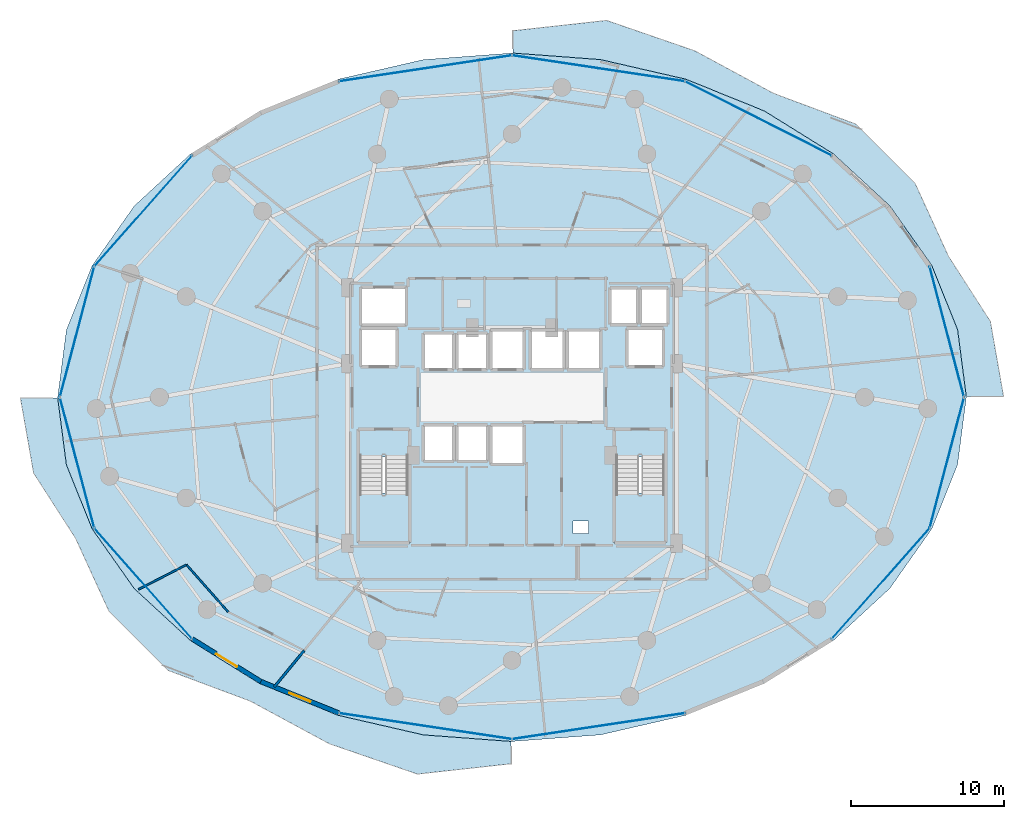
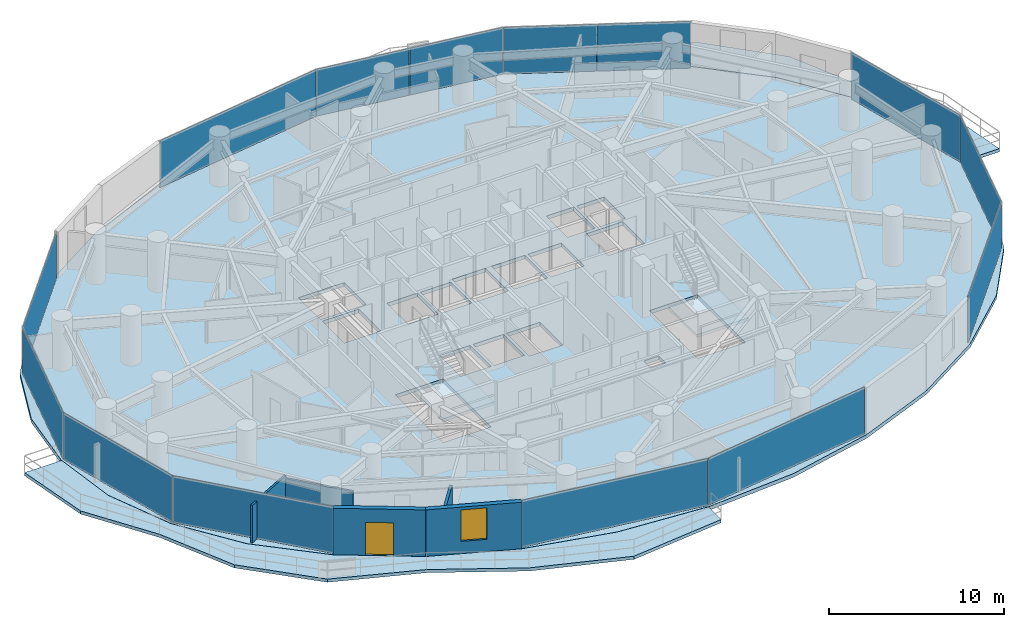
# One storey, part 25 of 33: 14 plates, 5 slabs, 5 walls, 1 door, 1 window, 2 openings, 6 elements without a shape of their own.
"""IFC4 building model written with IfcOpenShell, lengths in metres."""

from ifc_helpers import new_model, si_unit, direction, frame, frame_2d, origin, origin_2d, place, context, subcontext, project, spatial, polyline, rectangle, outline, extrude, material, layer, layer_set, type_object, element, fill, aggregate, save


model = new_model("IFC4")

# Units and contexts
model_context = context("Model", 3, precision=1e-05, world=origin(), true_north=direction((0.0, 1.0)))
body_context = subcontext(model_context, "Body", "Model", "MODEL_VIEW")
ifc_project = project(units=[si_unit("LENGTHUNIT", "METRE"), si_unit("AREAUNIT", "SQUARE_METRE"), si_unit("VOLUMEUNIT", "CUBIC_METRE"), si_unit("PLANEANGLEUNIT", "RADIAN"), si_unit("MASSUNIT", "GRAM", prefix="KILO")], contexts=[model_context])

# Site, building, storey
site_placement = place(None, origin())
site = spatial("IfcSite", under=ifc_project, at=site_placement, CompositionType="ELEMENT")
building_placement = place(site_placement, origin())
building = spatial("IfcBuilding", under=site, at=building_placement, Name="Vorneva Point Tower", CompositionType="ELEMENT")
storey_placement = place(building_placement, frame((0.0, 0.0, 59.0)))
storey = spatial("IfcBuildingStorey", under=building, at=storey_placement, Name="L15", CompositionType="ELEMENT", Elevation=59.0)

# Curtain wall, plates
ifc_material_1 = material(Name="Pale anodised aluminium", Category="aluminium")
curtain_wall_type = type_object("IfcCurtainWallType", Name="CW-HTL-SYS", PredefinedType="NOTDEFINED", material=ifc_material_1)
curtain_wall_1_placement = place(storey_placement, origin())
curtain_wall_1 = element("IfcCurtainWall", 1, at=curtain_wall_1_placement, inside=storey, type_object=curtain_wall_type, Name="L15 Unitised Curtain Wall CW-L15-R01", PredefinedType="NOTDEFINED")
ifc_material_2 = material(Name="Double low-e laminated glass IGU", Category="glass")
ifc_layer_1 = layer(ifc_material_2, 0.035888671875)
ifc_layer_set_1 = layer_set([ifc_layer_1], Name="Double low-e laminated glass IGU")
plate_type = type_object("IfcPlateType", Name="CW-PNL-VIS", PredefinedType="CURTAIN_PANEL", material=ifc_layer_set_1)
plate_1_placement = place(storey_placement, frame((62.097900390625, 13.821533203125, -0.02001953125), z_axis=(0.0, 0.0, 1.0), x_axis=(0.662070857019, 0.749441245386, 0.0)))
plate_1 = element("IfcPlate", 2, at=plate_1_placement, type_object=plate_type, Name="CW-L15-R01 Glazed Panel 01", PredefinedType="CURTAIN_PANEL", context=body_context, shape_type="SweptSolid", body=[
    extrude(rectangle(XDim=9.625, YDim=0.035888671875, at=origin_2d()), origin(), (0.0, 0.0, 1.0), 3.280029296875),
])
plate_2_placement = place(storey_placement, frame((66.42529296875, 21.723388671875, -0.02001953125), z_axis=(0.0, 0.0, 1.0), x_axis=(0.254348767449, 0.967112560407, 0.0)))
plate_2 = element("IfcPlate", 3, at=plate_2_placement, type_object=plate_type, Name="CW-L15-R01 Glazed Panel 02", PredefinedType="CURTAIN_PANEL", context=body_context, shape_type="SweptSolid", body=[
    extrude(rectangle(XDim=8.793701171875, YDim=0.035888671875, at=origin_2d()), origin(), (0.0, 0.0, 1.0), 3.280029296875),
])
plate_3_placement = place(storey_placement, frame((66.42529296875, 30.276611328125, -0.02001953125), z_axis=(0.0, 0.0, 1.0), x_axis=(-0.254348767449, 0.967112560407, 0.0)))
plate_3 = element("IfcPlate", 4, at=plate_3_placement, type_object=plate_type, Name="CW-L15-R01 Glazed Panel 03", PredefinedType="CURTAIN_PANEL", context=body_context, shape_type="SweptSolid", body=[
    extrude(rectangle(XDim=8.793701171875, YDim=0.035888671875, at=origin_2d()), origin(), (0.0, 0.0, 1.0), 3.280029296875),
])
aggregate(curtain_wall_1, [plate_1, plate_2, plate_3])

curtain_wall_2_placement = place(storey_placement, origin())
curtain_wall_2 = element("IfcCurtainWall", 5, at=curtain_wall_2_placement, inside=storey, type_object=curtain_wall_type, Name="L15 Unitised Curtain Wall CW-L15-R02", PredefinedType="NOTDEFINED")
plate_4_placement = place(storey_placement, frame((56.498291015625, 43.014892578125, -0.02001953125), z_axis=(0.0, 0.0, 1.0), x_axis=(-0.892499239729, 0.451048896554, 0.0)))
plate_4 = element("IfcPlate", 6, at=plate_4_placement, type_object=plate_type, Name="CW-L15-R02 Glazed Panel 01A", PredefinedType="CURTAIN_PANEL", context=body_context, shape_type="SweptSolid", body=[
    extrude(rectangle(XDim=5.32080078125, YDim=0.035888671875, at=origin_2d()), origin(), (0.0, 0.0, 1.0), 3.280029296875),
])
plate_5_placement = place(storey_placement, frame((51.705078125, 45.4375, -0.02001953125), z_axis=(0.0, 0.0, 1.0), x_axis=(-0.892499239729, 0.451048896554, 0.0)))
plate_5 = element("IfcPlate", 7, at=plate_5_placement, type_object=plate_type, Name="CW-L15-R02 Glazed Panel 01B", PredefinedType="CURTAIN_PANEL", context=body_context, shape_type="SweptSolid", body=[
    extrude(rectangle(XDim=5.32080078125, YDim=0.035888671875, at=origin_2d()), origin(), (0.0, 0.0, 1.0), 3.280029296875),
])
plate_6_placement = place(storey_placement, frame((46.481201171875, 47.073974609375, -0.02001953125), z_axis=(0.0, 0.0, 1.0), x_axis=(-0.988870924381, 0.148775989034, 0.0)))
plate_6 = element("IfcPlate", 8, at=plate_6_placement, type_object=plate_type, Name="CW-L15-R02 Glazed Panel 02A", PredefinedType="CURTAIN_PANEL", context=body_context, shape_type="SweptSolid", body=[
    extrude(rectangle(XDim=5.667724609375, YDim=0.035888671875, at=origin_2d()), origin(), (0.0, 0.0, 1.0), 3.280029296875),
])
plate_7_placement = place(storey_placement, frame((40.8271484375, 47.9248046875, -0.02001953125), z_axis=(0.0, 0.0, 1.0), x_axis=(-0.988870924381, 0.148775989034, 0.0)))
plate_7 = element("IfcPlate", 9, at=plate_7_placement, type_object=plate_type, Name="CW-L15-R02 Glazed Panel 02B", PredefinedType="CURTAIN_PANEL", context=body_context, shape_type="SweptSolid", body=[
    extrude(rectangle(XDim=5.667724609375, YDim=0.035888671875, at=origin_2d()), origin(), (0.0, 0.0, 1.0), 3.280029296875),
])
plate_8_placement = place(storey_placement, frame((32.345703125, 47.499267578125, -0.02001953125), z_axis=(0.0, 0.0, 1.0), x_axis=(-0.988870924381, -0.148775989034, 0.0)))
plate_8 = element("IfcPlate", 10, at=plate_8_placement, type_object=plate_type, Name="CW-L15-R02 Glazed Panel 03", PredefinedType="CURTAIN_PANEL", context=body_context, shape_type="SweptSolid", body=[
    extrude(rectangle(XDim=11.385498046875, YDim=0.035888671875, at=origin_2d()), origin(), (0.0, 0.0, 1.0), 3.280029296875),
])
aggregate(curtain_wall_2, [plate_4, plate_5, plate_6, plate_7, plate_8])

curtain_wall_3_placement = place(storey_placement, origin())
curtain_wall_3 = element("IfcCurtainWall", 11, at=curtain_wall_3_placement, inside=storey, type_object=curtain_wall_type, Name="L15 Unitised Curtain Wall CW-L15-R03", PredefinedType="NOTDEFINED")
plate_9_placement = place(storey_placement, frame((13.902099609375, 38.178466796875, -0.02001953125), z_axis=(0.0, 0.0, 1.0), x_axis=(-0.662070857019, -0.749441245386, 0.0)))
plate_9 = element("IfcPlate", 12, at=plate_9_placement, type_object=plate_type, Name="CW-L15-R03 Glazed Panel 01", PredefinedType="CURTAIN_PANEL", context=body_context, shape_type="SweptSolid", body=[
    extrude(rectangle(XDim=9.625, YDim=0.035888671875, at=origin_2d()), origin(), (0.0, 0.0, 1.0), 3.280029296875),
])
plate_10_placement = place(storey_placement, frame((9.57470703125, 30.276611328125, -0.02001953125), z_axis=(0.0, 0.0, 1.0), x_axis=(-0.254348767449, -0.967112560407, 0.0)))
plate_10 = element("IfcPlate", 13, at=plate_10_placement, type_object=plate_type, Name="CW-L15-R03 Glazed Panel 02", PredefinedType="CURTAIN_PANEL", context=body_context, shape_type="SweptSolid", body=[
    extrude(rectangle(XDim=8.793701171875, YDim=0.035888671875, at=origin_2d()), origin(), (0.0, 0.0, 1.0), 3.280029296875),
])
plate_11_placement = place(storey_placement, frame((9.57470703125, 21.723388671875, -0.02001953125), z_axis=(0.0, 0.0, 1.0), x_axis=(0.254348767449, -0.967112560407, 0.0)))
plate_11 = element("IfcPlate", 14, at=plate_11_placement, type_object=plate_type, Name="CW-L15-R03 Glazed Panel 03", PredefinedType="CURTAIN_PANEL", context=body_context, shape_type="SweptSolid", body=[
    extrude(rectangle(XDim=8.793701171875, YDim=0.035888671875, at=origin_2d()), origin(), (0.0, 0.0, 1.0), 3.280029296875),
])
plate_12_placement = place(storey_placement, frame((13.902099609375, 13.821533203125, -0.02001953125), z_axis=(0.0, 0.0, 1.0), x_axis=(0.662070857019, -0.749441245386, 0.0)))
plate_12 = element("IfcPlate", 15, at=plate_12_placement, type_object=plate_type, Name="CW-L15-R03 Glazed Panel 04", PredefinedType="CURTAIN_PANEL", context=body_context, shape_type="SweptSolid", body=[
    extrude(rectangle(XDim=9.625, YDim=0.035888671875, at=origin_2d()), origin(), (0.0, 0.0, 1.0), 3.280029296875),
])
aggregate(curtain_wall_3, [plate_9, plate_10, plate_11, plate_12])

curtain_wall_4_placement = place(storey_placement, origin())
curtain_wall_4 = element("IfcCurtainWall", 16, at=curtain_wall_4_placement, inside=storey, type_object=curtain_wall_type, Name="L15 Unitised Curtain Wall CW-L15-R04", PredefinedType="NOTDEFINED")
plate_13_placement = place(storey_placement, frame((32.345703125, 4.500732421875, -0.02001953125), z_axis=(0.0, 0.0, 1.0), x_axis=(0.988870924381, -0.148775989034, 0.0)))
plate_13 = element("IfcPlate", 17, at=plate_13_placement, type_object=plate_type, Name="CW-L15-R04 Glazed Panel 01", PredefinedType="CURTAIN_PANEL", context=body_context, shape_type="SweptSolid", body=[
    extrude(rectangle(XDim=11.385498046875, YDim=0.035888671875, at=origin_2d()), origin(), (0.0, 0.0, 1.0), 3.280029296875),
])
plate_14_placement = place(storey_placement, frame((43.654296875, 4.500732421875, -0.02001953125), z_axis=(0.0, 0.0, 1.0), x_axis=(0.988870924381, 0.148775989034, 0.0)))
plate_14 = element("IfcPlate", 18, at=plate_14_placement, type_object=plate_type, Name="CW-L15-R04 Glazed Panel 02", PredefinedType="CURTAIN_PANEL", context=body_context, shape_type="SweptSolid", body=[
    extrude(rectangle(XDim=11.385498046875, YDim=0.035888671875, at=origin_2d()), origin(), (0.0, 0.0, 1.0), 3.280029296875),
])
aggregate(curtain_wall_4, [plate_13, plate_14])

# Slabs
ifc_material_3 = material(Name="Concrete B50 (C40/50)", Category="concrete")
ifc_layer_2 = layer(ifc_material_3, 0.219970703125)
ifc_layer_set_2 = layer_set([ifc_layer_2], Name="Concrete B50 (C40/50)")
slab_type_1 = type_object("IfcSlabType", Name="SLB-BAL-220", PredefinedType="FLOOR", material=ifc_layer_set_2)
slab_1_placement = place(storey_placement, frame((0.0, 0.0, -0.219970703125)))
element("IfcSlab", 19, at=slab_1_placement, inside=storey, type_object=slab_type_1, Name="L15 Cantilevered Wave Balcony NE", PredefinedType="FLOOR", context=body_context, shape_type="SweptSolid", body=[
    extrude(outline(polyline([(38.050048828125, 49.96044921875), (38.050048828125, 48.500244140625), (43.79443359375, 48.07177734375), (43.794921875, 48.07177734375), (43.795166015625, 48.071533203125), (49.36669921875, 46.791259765625), (49.366943359375, 46.791015625), (49.3671875, 46.791015625), (54.501953125, 44.7119140625), (54.502197265625, 44.711669921875), (54.50244140625, 44.71142578125), (59.003173828125, 41.913330078125), (59.00341796875, 41.9130859375), (59.00390625, 41.912841796875), (62.697265625, 38.503173828125), (62.697509765625, 38.5029296875), (62.697998046875, 38.502685546875), (65.4423828125, 34.61279296875), (65.442626953125, 34.6123046875), (65.44287109375, 34.61181640625), (67.133056640625, 30.39111328125), (67.133056640625, 30.390625), (67.13330078125, 30.390380859375), (67.13330078125, 30.389892578125), (67.697509765625, 26.050048828125), (70.13623046875, 26.050048828125), (69.2744140625, 30.952880859375), (66.535888671875, 35.2099609375), (64.35791015625, 39.96728515625), (60.4775390625, 43.85888671875), (55.089111328125, 45.870849609375), (49.949462890625, 48.647705078125), (44.18115234375, 50.635498046875), (38.050048828125, 49.96044921875)])), origin(), (0.0, 0.0, 1.0), 0.219970703125),
])
slab_2_placement = place(storey_placement, frame((0.0, 0.0, -0.219970703125)))
element("IfcSlab", 20, at=slab_2_placement, inside=storey, type_object=slab_type_1, Name="L15 Cantilevered Wave Balcony SW", PredefinedType="FLOOR", context=body_context, shape_type="SweptSolid", body=[
    extrude(outline(polyline([(37.949951171875, 2.03955078125), (37.949951171875, 3.499755859375), (32.20556640625, 3.92822265625), (32.205078125, 3.92822265625), (32.204833984375, 3.928466796875), (26.63330078125, 5.208740234375), (26.633056640625, 5.208984375), (26.6328125, 5.208984375), (21.498046875, 7.2880859375), (21.497802734375, 7.288330078125), (21.49755859375, 7.28857421875), (16.996826171875, 10.086669921875), (16.99658203125, 10.0869140625), (16.99609375, 10.087158203125), (13.302734375, 13.496826171875), (13.302490234375, 13.4970703125), (13.302001953125, 13.497314453125), (10.5576171875, 17.38720703125), (10.557373046875, 17.3876953125), (10.55712890625, 17.38818359375), (8.866943359375, 21.60888671875), (8.866943359375, 21.609375), (8.86669921875, 21.609619140625), (8.86669921875, 21.610107421875), (8.302490234375, 25.949951171875), (5.86376953125, 25.949951171875), (6.7255859375, 21.047119140625), (9.464111328125, 16.7900390625), (11.64208984375, 12.03271484375), (15.5224609375, 8.14111328125), (20.910888671875, 6.129150390625), (26.050537109375, 3.352294921875), (31.81884765625, 1.364501953125), (37.949951171875, 2.03955078125)])), origin(), (0.0, 0.0, 1.0), 0.219970703125),
])

# Stair, slab
stair_type = type_object("IfcStairType", Name="ST-DOG-1500", PredefinedType="HALF_TURN_STAIR", material=ifc_material_3)
stair_1_placement = place(storey_placement, origin())
stair_1 = element("IfcStair", 21, at=stair_1_placement, inside=storey, type_object=stair_type, Name="L15 ST1", PredefinedType="HALF_TURN_STAIR")
ifc_layer_3 = layer(ifc_material_3, 0.199951171875)
ifc_layer_set_3 = layer_set([ifc_layer_3], Name="Concrete B50 (C40/50)")
slab_type_2 = type_object("IfcSlabType", Name="SLB-LND-200", PredefinedType="LANDING", material=ifc_layer_set_3)
slab_3_placement = place(storey_placement, frame((0.0, 0.0, 1.550048828125)))
slab_3 = element("IfcSlab", 22, at=slab_3_placement, type_object=slab_type_2, Name="ST1 landing 1", PredefinedType="LANDING", context=body_context, shape_type="SweptSolid", body=[
    extrude(outline(polyline([(27.929931640625, 16.47998046875), (31.320068359375, 16.47998046875), (31.320068359375, 19.72998046875), (27.929931640625, 19.72998046875), (27.929931640625, 16.47998046875)])), origin(), (0.0, 0.0, 1.0), 0.199951171875),
])
aggregate(stair_1, [slab_3])

stair_2_placement = place(storey_placement, origin())
stair_2 = element("IfcStair", 23, at=stair_2_placement, inside=storey, type_object=stair_type, Name="L15 ST2", PredefinedType="HALF_TURN_STAIR")
slab_4_placement = place(storey_placement, frame((0.0, 0.0, 1.550048828125)))
slab_4 = element("IfcSlab", 24, at=slab_4_placement, type_object=slab_type_2, Name="ST2 landing 1", PredefinedType="LANDING", context=body_context, shape_type="SweptSolid", body=[
    extrude(outline(polyline([(44.679931640625, 16.47998046875), (48.070068359375, 16.47998046875), (48.070068359375, 19.72998046875), (44.679931640625, 19.72998046875), (44.679931640625, 16.47998046875)])), origin(), (0.0, 0.0, 1.0), 0.199951171875),
])
aggregate(stair_2, [slab_4])

# Slab
ifc_layer_4 = layer(ifc_material_3, 0.260009765625)
ifc_layer_set_4 = layer_set([ifc_layer_4], Name="Concrete B50 (C40/50)")
slab_type_3 = type_object("IfcSlabType", Name="SLB-TYP-260", PredefinedType="FLOOR", material=ifc_layer_set_4)
slab_5_placement = place(storey_placement, frame((0.0, 0.0, -0.260009765625)))
element("IfcSlab", 25, at=slab_5_placement, inside=storey, type_object=slab_type_3, Name="L15 Structural Floor Plate", PredefinedType="FLOOR", context=body_context, shape_type="SweptSolid", body=[
    extrude(outline(polyline([(67.699951171875, 26.0), (67.12939453125, 30.389404296875), (65.439208984375, 34.6103515625), (62.694580078125, 38.500244140625), (59.001220703125, 41.909912109375), (54.50048828125, 44.7080078125), (49.36572265625, 46.787353515625), (43.794189453125, 48.067626953125), (38.0, 48.5), (32.205810546875, 48.067626953125), (26.63427734375, 46.787353515625), (21.49951171875, 44.7080078125), (16.998779296875, 41.909912109375), (13.305419921875, 38.500244140625), (10.560791015625, 34.6103515625), (8.87060546875, 30.389404296875), (8.300048828125, 26.0), (8.87060546875, 21.610595703125), (10.560791015625, 17.3896484375), (13.305419921875, 13.499755859375), (16.998779296875, 10.090087890625), (21.49951171875, 7.2919921875), (26.63427734375, 5.212646484375), (32.205810546875, 3.932373046875), (38.0, 3.5), (43.794189453125, 3.932373046875), (49.36572265625, 5.212646484375), (54.50048828125, 7.2919921875), (59.001220703125, 10.090087890625), (62.694580078125, 13.499755859375), (65.439208984375, 17.3896484375), (67.12939453125, 21.610595703125), (67.699951171875, 26.0)]), holes=[polyline([(32.199951171875, 27.800048828125), (34.199951171875, 27.800048828125), (34.199951171875, 30.199951171875), (32.199951171875, 30.199951171875), (32.199951171875, 27.800048828125)]), polyline([(34.39990234375, 27.800048828125), (36.39990234375, 27.800048828125), (36.39990234375, 30.199951171875), (34.39990234375, 30.199951171875), (34.39990234375, 27.800048828125)]), polyline([(36.60009765625, 27.800048828125), (38.800048828125, 27.800048828125), (38.800048828125, 30.39990234375), (36.60009765625, 30.39990234375), (36.60009765625, 27.800048828125)]), polyline([(32.199951171875, 21.800048828125), (34.199951171875, 21.800048828125), (34.199951171875, 24.199951171875), (32.199951171875, 24.199951171875), (32.199951171875, 21.800048828125)]), polyline([(34.39990234375, 21.800048828125), (36.39990234375, 21.800048828125), (36.39990234375, 24.199951171875), (34.39990234375, 24.199951171875), (34.39990234375, 21.800048828125)]), polyline([(36.60009765625, 21.60009765625), (38.800048828125, 21.60009765625), (38.800048828125, 24.199951171875), (36.60009765625, 24.199951171875), (36.60009765625, 21.60009765625)]), polyline([(39.199951171875, 27.800048828125), (41.39990234375, 27.800048828125), (41.39990234375, 30.39990234375), (39.199951171875, 30.39990234375), (39.199951171875, 27.800048828125)]), polyline([(41.60009765625, 27.800048828125), (43.800048828125, 27.800048828125), (43.800048828125, 30.39990234375), (41.60009765625, 30.39990234375), (41.60009765625, 27.800048828125)]), polyline([(44.39990234375, 30.739990234375), (46.199951171875, 30.739990234375), (46.199951171875, 33.159912109375), (44.39990234375, 33.159912109375), (44.39990234375, 30.739990234375)]), polyline([(46.39990234375, 30.739990234375), (48.199951171875, 30.739990234375), (48.199951171875, 33.159912109375), (46.39990234375, 33.159912109375), (46.39990234375, 30.739990234375)]), polyline([(28.10009765625, 28.0), (30.5, 28.0), (30.5, 30.5), (28.10009765625, 30.5), (28.10009765625, 28.0)]), polyline([(45.5, 28.0), (47.89990234375, 28.0), (47.89990234375, 30.5), (45.5, 30.5), (45.5, 28.0)]), polyline([(28.10009765625, 30.699951171875), (31.10009765625, 30.699951171875), (31.10009765625, 33.199951171875), (28.10009765625, 33.199951171875), (28.10009765625, 30.699951171875)]), polyline([(28.050048828125, 16.60009765625), (31.199951171875, 16.60009765625), (31.199951171875, 22.080078125), (28.050048828125, 22.080078125), (28.050048828125, 16.60009765625)]), polyline([(44.800048828125, 16.60009765625), (47.949951171875, 16.60009765625), (47.949951171875, 22.080078125), (44.800048828125, 22.080078125), (44.800048828125, 16.60009765625)]), polyline([(42.0, 17.10009765625), (43.0, 17.10009765625), (43.0, 17.89990234375), (42.0, 17.89990234375), (42.0, 17.10009765625)])]), origin(), (0.0, 0.0, 1.0), 0.260009765625),
])

# Wall, opening, door
ifc_material_4 = material(Name="Precast concrete B50 (C40/50)", Category="concrete")
ifc_layer_5 = layer(ifc_material_4, 0.300048828125)
ifc_layer_set_5 = layer_set([ifc_layer_5], Name="Precast concrete B50 (C40/50)")
wall_type_1 = type_object("IfcWallType", Name="WL-EXT-300", PredefinedType="STANDARD", material=ifc_layer_set_5)
wall_1_placement = place(storey_placement, frame((17.10498046875, 10.1962890625, 0.0), z_axis=(0.0, 0.0, 1.0), x_axis=(0.849633724826, -0.527373239404, 0.0)))
wall_1 = element("IfcWall", 26, at=wall_1_placement, inside=storey, type_object=wall_type_1, Name="L15 Pale-Metal Facade Spandrel Wall 11.1", PredefinedType="STANDARD", context=body_context, shape_type="SweptSolid", body=[
    extrude(rectangle(XDim=5.2705078125, YDim=0.300048828125, at=frame_2d((2.63525390625, 0.0))), origin(), (0.0, 0.0, 1.0), 3.239990234375),
])
opening_1_placement = place(wall_1_placement, frame((1.835205078125, 0.0, 0.0)))
opening_1 = element("IfcOpeningElement", 27, at=opening_1_placement, cuts=wall_1, Name="Opening BD-01", PredefinedType="OPENING", context=body_context, shape_type="SweptSolid", body=[
    extrude(rectangle(XDim=1.60009765625, YDim=2.300048828125, at=frame_2d((0.800048828125, 1.14990234375))), frame((0.0, 0.1650390625, 0.0), z_axis=(0.0, -1.0, 0.0), x_axis=(1.0, 0.0, 0.0)), (0.0, 0.0, 1.0), 0.329833984375),
])
door_type = type_object("IfcDoorType", Name="DR-BAL-1600", OperationType="SLIDING_TO_LEFT", PredefinedType="DOOR", material=ifc_material_1)
door_placement = place(opening_1_placement, origin())
door = element("IfcDoor", 28, at=door_placement, inside=storey, type_object=door_type, Name="L15 Balcony Terrace Access Door 11", OperationType="SLIDING_TO_LEFT", OverallHeight=2.300048828125, OverallWidth=1.60009765625, PredefinedType="DOOR", context=body_context, shape_type="SweptSolid", body=[
    extrude(rectangle(XDim=1.60009765625, YDim=2.300048828125, at=frame_2d((0.800048828125, 1.14990234375))), frame((0.0, 0.02490234375, 0.0), z_axis=(0.0, -1.0, 0.0), x_axis=(1.0, 0.0, 0.0)), (0.0, 0.0, 1.0), 0.050048828125),
])
fill(opening_1, door)

# Wall, opening, window
wall_2_placement = place(storey_placement, frame((21.5830078125, 7.416748046875, 0.0), z_axis=(0.0, 0.0, 1.0), x_axis=(0.927095325176, -0.374825636845, 0.0)))
wall_2 = element("IfcWall", 29, at=wall_2_placement, inside=storey, type_object=wall_type_1, Name="L15 Pale-Metal Facade Spandrel Wall 11.2", PredefinedType="STANDARD", context=body_context, shape_type="SweptSolid", body=[
    extrude(rectangle(XDim=5.51025390625, YDim=0.300048828125, at=frame_2d((2.755126953125, 0.0))), origin(), (0.0, 0.0, 1.0), 3.239990234375),
])
opening_2_placement = place(wall_2_placement, frame((2.00537109375, 0.0, 0.85009765625)))
opening_2 = element("IfcOpeningElement", 30, at=opening_2_placement, cuts=wall_2, Name="Opening W-02", PredefinedType="OPENING", context=body_context, shape_type="SweptSolid", body=[
    extrude(rectangle(XDim=1.5, YDim=2.18994140625, at=frame_2d((0.75, 1.094970703125))), frame((0.0, 0.1650390625, 0.0), z_axis=(0.0, -1.0, 0.0), x_axis=(1.0, 0.0, 0.0)), (0.0, 0.0, 1.0), 0.329833984375),
])
window_type = type_object("IfcWindowType", Name="WN-HTL-1500", PartitioningType="SINGLE_PANEL", PredefinedType="WINDOW", material=ifc_material_2)
window_placement = place(opening_2_placement, origin())
window = element("IfcWindow", 31, at=window_placement, inside=storey, type_object=window_type, Name="L15 Facade Window 11", OverallHeight=2.18994140625, OverallWidth=1.5, PartitioningType="SINGLE_PANEL", PredefinedType="WINDOW", context=body_context, shape_type="SweptSolid", body=[
    extrude(rectangle(XDim=1.5, YDim=2.18994140625, at=frame_2d((0.75, 1.094970703125))), frame((0.0, 0.030029296875, 0.0), z_axis=(0.0, -1.0, 0.0), x_axis=(1.0, 0.0, 0.0)), (0.0, 0.0, 1.0), 0.06005859375),
])
fill(opening_2, window)

# Walls
ifc_material_5 = material(Name="Fire-rated acoustic gypsum stud partition", Category="gypsum")
ifc_layer_6 = layer(ifc_material_5, 0.125)
ifc_layer_set_6 = layer_set([ifc_layer_6], Name="Fire-rated acoustic gypsum stud partition")
wall_type_2 = type_object("IfcWallType", Name="WL-PART-125", PredefinedType="PARTITIONING", material=ifc_layer_set_6)
wall_3_placement = place(storey_placement, frame((13.590087890625, 13.44091796875, 0.0), z_axis=(0.0, 0.0, 1.0), x_axis=(0.889180616302, 0.457556369852, 0.0)))
element("IfcWall", 32, at=wall_3_placement, inside=storey, type_object=wall_type_2, Name="L15 Interior Partition 084", PredefinedType="PARTITIONING", context=body_context, shape_type="SweptSolid", body=[
    extrude(rectangle(XDim=3.52099609375, YDim=0.125, at=frame_2d((1.760498046875, 0.0))), origin(), (0.0, 0.0, 1.0), 2.6240234375),
])
wall_4_placement = place(storey_placement, frame((16.720947265625, 15.052001953125, 0.0), z_axis=(0.0, 0.0, 1.0), x_axis=(0.662159063844, -0.749363312532, 0.0)))
element("IfcWall", 33, at=wall_4_placement, inside=storey, type_object=wall_type_2, Name="L15 Interior Partition 085", PredefinedType="PARTITIONING", context=body_context, shape_type="SweptSolid", body=[
    extrude(rectangle(XDim=4.115478515625, YDim=0.125, at=frame_2d((2.0576171875, 0.0))), origin(), (0.0, 0.0, 1.0), 2.431884765625),
])
ifc_layer_7 = layer(ifc_material_5, 0.159912109375)
ifc_layer_set_7 = layer_set([ifc_layer_7], Name="Fire-rated acoustic gypsum stud partition")
wall_type_3 = type_object("IfcWallType", Name="WL-PART-160", PredefinedType="PARTITIONING", material=ifc_layer_set_7)
wall_5_placement = place(storey_placement, frame((22.4599609375, 7.06494140625, 0.0), z_axis=(0.0, 0.0, 1.0), x_axis=(0.634432805544, 0.772978017313, 0.0)))
element("IfcWall", 34, at=wall_5_placement, inside=storey, type_object=wall_type_3, Name="L15 Interior Partition 089", PredefinedType="PARTITIONING", context=body_context, shape_type="SweptSolid", body=[
    extrude(rectangle(XDim=3.0908203125, YDim=0.159912109375, at=frame_2d((1.54541015625, 0.0))), origin(), (0.0, 0.0, 1.0), 2.6240234375),
])

save(model, "model.ifc")
